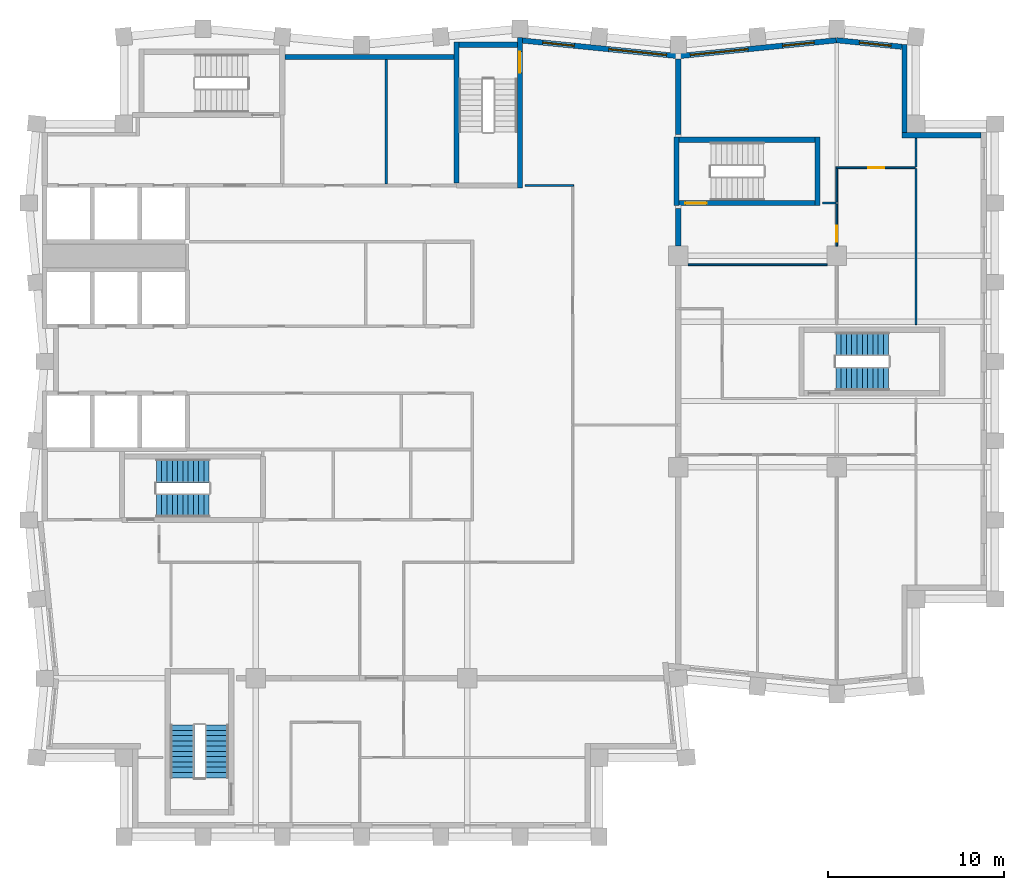
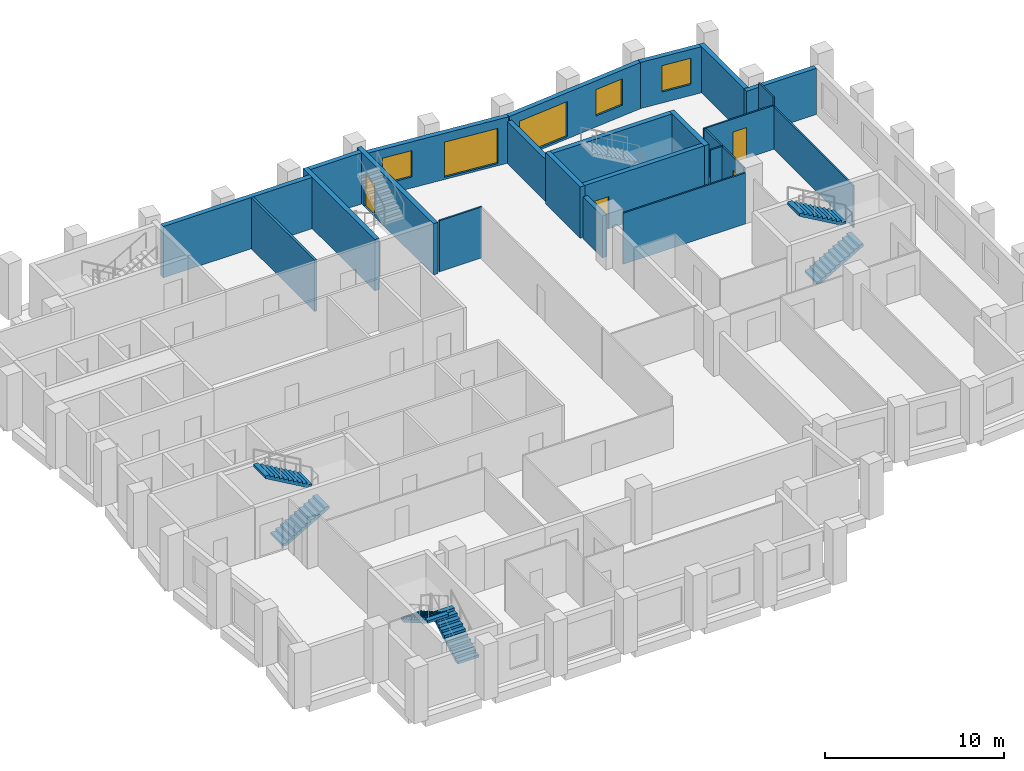
# One storey, part 6 of 8: 24 walls, 6 stair flights, 5 windows, 4 doors, 9 openings, 3 elements without a shape of their own.
"""IFC4 building model written with IfcOpenShell, lengths in metres."""

from ifc_helpers import new_model, si_unit, direction, frame, frame_2d, origin, place, context, subcontext, project, spatial, polyline, rectangle, outline, extrude, material, layer, layer_set, type_object, element, fill, aggregate, save


model = new_model("IFC4")

# Units and contexts
model_context = context("Model", 3, precision=1e-05, world=origin(), true_north=direction((0.0, 1.0)))
body_context = subcontext(model_context, "Body", "Model", "MODEL_VIEW")
ifc_project = project(units=[si_unit("LENGTHUNIT", "METRE"), si_unit("AREAUNIT", "SQUARE_METRE"), si_unit("VOLUMEUNIT", "CUBIC_METRE"), si_unit("PLANEANGLEUNIT", "RADIAN"), si_unit("MASSUNIT", "GRAM", prefix="KILO")], contexts=[model_context])

# Site, building, storey
site_placement = place(None, origin())
site = spatial("IfcSite", under=ifc_project, at=site_placement, CompositionType="ELEMENT")
building_placement = place(site_placement, origin())
building = spatial("IfcBuilding", under=site, at=building_placement, Name="Brondeck Convention Tower", CompositionType="ELEMENT")
storey_placement = place(building_placement, frame((0.0, 0.0, 217.800048828125)))
storey = spatial("IfcBuildingStorey", under=building, at=storey_placement, Name="L53", CompositionType="ELEMENT", Elevation=217.800048828125)

# Walls
ifc_material_1 = material(Name="Concrete compartment wall C30/37", Category="concrete")
ifc_layer_1 = layer(ifc_material_1, 0.300048828125)
ifc_layer_set_1 = layer_set([ifc_layer_1], Name="Compartment wall 300")
wall_type_1 = type_object("IfcWallType", Name="Compartment wall 300", PredefinedType="PARTITIONING", material=ifc_layer_set_1)
wall_1_placement = place(storey_placement, frame((36.0, 51.554931640625, 0.0), z_axis=(0.0, 0.0, 1.0), x_axis=(0.0, 1.0, 0.0)))
element("IfcWall", 1, at=wall_1_placement, inside=storey, type_object=wall_type_1, Name="FLR-L53-W047", PredefinedType="PARTITIONING", context=body_context, shape_type="SweptSolid", body=[
    extrude(rectangle(XDim=2.14501953125, YDim=0.300048828125, at=frame_2d((1.072509765625, 0.0))), origin(), (0.0, 0.0, 1.0), 2.8798828125),
])
wall_2_placement = place(storey_placement, frame((36.0, 57.89990234375, 0.0), z_axis=(0.0, 0.0, 1.0), x_axis=(0.0, 1.0, 0.0)))
element("IfcWall", 2, at=wall_2_placement, inside=storey, type_object=wall_type_1, Name="FLR-L53-W055", PredefinedType="PARTITIONING", context=body_context, shape_type="SweptSolid", body=[
    extrude(rectangle(XDim=4.2763671875, YDim=0.300048828125, at=frame_2d((2.13818359375, 0.0))), origin(), (0.0, 0.0, 1.0), 2.8798828125),
])
ifc_material_2 = material(Name="Concrete C50/60", Category="concrete")
ifc_layer_2 = layer(ifc_material_2, 0.300048828125)
ifc_layer_set_2 = layer_set([ifc_layer_2], Name="Core outer wall 300 Concrete C50/60")
wall_type_2 = type_object("IfcWallType", Name="Core outer wall 300 Concrete C50/60", PredefinedType="SHEAR", material=ifc_layer_set_2)
wall_3_placement = place(storey_placement, frame((13.64990234375, 62.300048828125, 0.0), z_axis=(0.0, 0.0, 1.0), x_axis=(1.0, 0.0, 0.0)))
element("IfcWall", 3, at=wall_3_placement, inside=storey, type_object=wall_type_2, Name="L53 core wall", PredefinedType="SHEAR", context=body_context, shape_type="SweptSolid", body=[
    extrude(rectangle(XDim=9.60009765625, YDim=0.300048828125, at=frame_2d((4.800048828125, 0.0))), origin(), (0.0, 0.0, 1.0), 3.5),
])
ifc_material_3 = material(Name="Fire-rated gypsum board partition")
ifc_layer_3 = layer(ifc_material_3, 0.14990234375)
ifc_layer_set_3 = layer_set([ifc_layer_3], Name="Core partition 150 EI 60")
wall_type_3 = type_object("IfcWallType", Name="Core partition 150 EI 60", PredefinedType="PARTITIONING", material=ifc_layer_set_3)
wall_4_placement = place(storey_placement, frame((19.39990234375, 55.074951171875, 0.0), z_axis=(0.0, 0.0, 1.0), x_axis=(0.0, 1.0, 0.0)))
element("IfcWall", 4, at=wall_4_placement, inside=storey, type_object=wall_type_3, Name="L53 core wall", PredefinedType="PARTITIONING", context=body_context, shape_type="SweptSolid", body=[
    extrude(rectangle(XDim=7.074951171875, YDim=0.14990234375, at=frame_2d((3.53759765625, 0.0))), origin(), (0.0, 0.0, 1.0), 3.5),
])
ifc_material_4 = material(Name="Precast concrete C50/60 bronze finish", Category="concrete")
ifc_layer_4 = layer(ifc_material_4, 0.070068359375, Name="Bronze precast facing")
ifc_material_5 = material(Name="Mineral wool")
ifc_layer_5 = layer(ifc_material_5, 0.159912109375, Name="Insulation")
ifc_material_6 = material(Name="Concrete C35/45", Category="concrete")
ifc_layer_6 = layer(ifc_material_6, 0.070068359375, Name="Backing")
ifc_layer_set_4 = layer_set([ifc_layer_4, ifc_layer_5, ifc_layer_6], Name="External infill wall, precast concrete C50/60 bronze facing")
wall_type_4 = type_object("IfcWallType", Name="External infill wall, precast concrete C50/60 bronze facing", PredefinedType="SOLIDWALL", material=ifc_layer_set_4)
wall_5_placement = place(storey_placement, frame((48.699951171875, 57.85009765625, 0.0), z_axis=(0.0, 0.0, 1.0), x_axis=(1.0, 0.0, 0.0)))
element("IfcWall", 5, at=wall_5_placement, inside=storey, type_object=wall_type_4, Name="ENV-EW-L53-P2-NC-NEA54-01", PredefinedType="SOLIDWALL", context=body_context, shape_type="SweptSolid", body=[
    extrude(rectangle(XDim=4.501953125, YDim=0.300048828125, at=frame_2d((2.2509765625, 0.0))), origin(), (0.0, 0.0, 1.0), 3.14990234375),
])
wall_6_placement = place(storey_placement, frame((48.85009765625, 62.99755859375, 0.0), z_axis=(0.0, 0.0, 1.0), x_axis=(0.0, -1.0, 0.0)))
element("IfcWall", 6, at=wall_6_placement, inside=storey, type_object=wall_type_4, Name="ENV-EW-L53-P2-NC-NEA54-02", PredefinedType="SOLIDWALL", context=body_context, shape_type="SweptSolid", body=[
    extrude(rectangle(XDim=4.99951171875, YDim=0.300048828125, at=frame_2d((2.499755859375, 0.0))), origin(), (0.0, 0.0, 1.0), 3.14990234375),
])

# Wall, opening, window
wall_7_placement = place(storey_placement, frame((44.985107421875, 63.248291015625, 0.0), z_axis=(0.0, 0.0, 1.0), x_axis=(0.995037837869, -0.099497242219, 0.0)))
wall_7 = element("IfcWall", 7, at=wall_7_placement, inside=storey, type_object=wall_type_4, Name="ENV-EW-L53-P2-A-N-10", PredefinedType="SOLIDWALL", context=body_context, shape_type="SweptSolid", body=[
    extrude(rectangle(XDim=3.732177734375, YDim=0.300048828125, at=frame_2d((1.8662109375, 0.0))), origin(), (0.0, 0.0, 1.0), 3.14990234375),
])
opening_1_placement = place(wall_7_placement, frame((1.311279296875, 0.0, 0.75)))
opening_1 = element("IfcOpeningElement", 8, at=opening_1_placement, cuts=wall_7, Name="Opening W10", PredefinedType="OPENING", context=body_context, shape_type="SweptSolid", body=[
    extrude(rectangle(XDim=1.800048828125, YDim=1.800048828125, at=frame_2d((0.89990234375, 0.89990234375))), frame((0.0, 0.159912109375, 0.0), z_axis=(0.0, -1.0, 0.0), x_axis=(1.0, 0.0, 0.0)), (0.0, 0.0, 1.0), 0.320068359375),
])
ifc_material_7 = material(Name="Bronze tinted double glazing", Category="glass")
window_type_1 = type_object("IfcWindowType", Name="Punched window, bronze tinted", PartitioningType="SINGLE_PANEL", PredefinedType="WINDOW", material=ifc_material_7)
window_1_placement = place(opening_1_placement, origin())
window_1 = element("IfcWindow", 9, at=window_1_placement, inside=storey, type_object=window_type_1, Name="ENV-WN-L53-P2-A-N-10", OverallHeight=1.800048828125, OverallWidth=1.800048828125, PartitioningType="SINGLE_PANEL", PredefinedType="WINDOW", context=body_context, shape_type="SweptSolid", body=[
    extrude(rectangle(XDim=1.800048828125, YDim=1.800048828125, at=frame_2d((0.89990234375, 0.89990234375))), frame((0.0, 0.030029296875, 0.0), z_axis=(0.0, -1.0, 0.0), x_axis=(1.0, 0.0, 0.0)), (0.0, 0.0, 1.0), 0.06005859375),
])
fill(opening_1, window_1)

# Wall, openings, windows
wall_8_placement = place(storey_placement, frame((35.985107421875, 62.34521484375, 0.0), z_axis=(0.0, 0.0, 1.0), x_axis=(0.995035316196, 0.099522457379, 0.0)))
wall_8 = element("IfcWall", 10, at=wall_8_placement, inside=storey, type_object=wall_type_4, Name="ENV-EW-L53-P2-A-N-09", PredefinedType="SOLIDWALL", context=body_context, shape_type="SweptSolid", body=[
    extrude(rectangle(XDim=9.030029296875, YDim=0.300048828125, at=frame_2d((4.51513671875, 0.0))), origin(), (0.0, 0.0, 1.0), 3.14990234375),
])
opening_2_placement = place(wall_8_placement, frame((0.691162109375, 0.0, 0.14990234375)))
opening_2 = element("IfcOpeningElement", 11, at=opening_2_placement, cuts=wall_8, Name="Opening W9", PredefinedType="OPENING", context=body_context, shape_type="SweptSolid", body=[
    extrude(rectangle(XDim=3.300048828125, YDim=2.39990234375, at=frame_2d((1.64990234375, 1.199951171875))), frame((0.0, 0.159912109375, 0.0), z_axis=(0.0, -1.0, 0.0), x_axis=(1.0, 0.0, 0.0)), (0.0, 0.0, 1.0), 0.320068359375),
])
opening_3_placement = place(wall_8_placement, frame((5.963623046875, 0.0, 0.75)))
opening_3 = element("IfcOpeningElement", 12, at=opening_3_placement, cuts=wall_8, Name="Opening W10", PredefinedType="OPENING", context=body_context, shape_type="SweptSolid", body=[
    extrude(rectangle(XDim=1.800048828125, YDim=1.800048828125, at=frame_2d((0.89990234375, 0.89990234375))), frame((0.0, 0.159912109375, 0.0), z_axis=(0.0, -1.0, 0.0), x_axis=(1.0, 0.0, 0.0)), (0.0, 0.0, 1.0), 0.320068359375),
])
window_type_2 = type_object("IfcWindowType", Name="Glazed flute window, bronze tinted", PartitioningType="SINGLE_PANEL", PredefinedType="WINDOW", material=ifc_material_7)
window_2_placement = place(opening_2_placement, origin())
window_2 = element("IfcWindow", 13, at=window_2_placement, inside=storey, type_object=window_type_2, Name="ENV-WN-L53-P2-A-N-08", OverallHeight=2.39990234375, OverallWidth=3.300048828125, PartitioningType="SINGLE_PANEL", PredefinedType="WINDOW", context=body_context, shape_type="SweptSolid", body=[
    extrude(rectangle(XDim=3.300048828125, YDim=2.39990234375, at=frame_2d((1.64990234375, 1.199951171875))), frame((0.0, 0.030029296875, 0.0), z_axis=(0.0, -1.0, 0.0), x_axis=(1.0, 0.0, 0.0)), (0.0, 0.0, 1.0), 0.06005859375),
])
fill(opening_2, window_2)
window_3_placement = place(opening_3_placement, origin())
window_3 = element("IfcWindow", 14, at=window_3_placement, inside=storey, type_object=window_type_1, Name="ENV-WN-L53-P2-A-N-09", OverallHeight=1.800048828125, OverallWidth=1.800048828125, PartitioningType="SINGLE_PANEL", PredefinedType="WINDOW", context=body_context, shape_type="SweptSolid", body=[
    extrude(rectangle(XDim=1.800048828125, YDim=1.800048828125, at=frame_2d((0.89990234375, 0.89990234375))), frame((0.0, 0.030029296875, 0.0), z_axis=(0.0, -1.0, 0.0), x_axis=(1.0, 0.0, 0.0)), (0.0, 0.0, 1.0), 0.06005859375),
])
fill(opening_3, window_3)

wall_9_placement = place(storey_placement, frame((27.084716796875, 63.23828125, 0.0), z_axis=(0.0, 0.0, 1.0), x_axis=(0.995035836657, -0.099517253618, 0.0)))
wall_9 = element("IfcWall", 15, at=wall_9_placement, inside=storey, type_object=wall_type_4, Name="ENV-EW-L53-P2-A-N-07", PredefinedType="SOLIDWALL", context=body_context, shape_type="SweptSolid", body=[
    extrude(rectangle(XDim=8.929931640625, YDim=0.300048828125, at=frame_2d((4.46484375, 0.0))), origin(), (0.0, 0.0, 1.0), 3.14990234375),
])
opening_4_placement = place(wall_9_placement, frame((1.211181640625, 0.0, 0.75)))
opening_4 = element("IfcOpeningElement", 16, at=opening_4_placement, cuts=wall_9, Name="Opening W10", PredefinedType="OPENING", context=body_context, shape_type="SweptSolid", body=[
    extrude(rectangle(XDim=1.800048828125, YDim=1.800048828125, at=frame_2d((0.89990234375, 0.89990234375))), frame((0.0, 0.159912109375, 0.0), z_axis=(0.0, -1.0, 0.0), x_axis=(1.0, 0.0, 0.0)), (0.0, 0.0, 1.0), 0.320068359375),
])
opening_5_placement = place(wall_9_placement, frame((4.983642578125, 0.0, 0.14990234375)))
opening_5 = element("IfcOpeningElement", 17, at=opening_5_placement, cuts=wall_9, Name="Opening W9", PredefinedType="OPENING", context=body_context, shape_type="SweptSolid", body=[
    extrude(rectangle(XDim=3.300048828125, YDim=2.39990234375, at=frame_2d((1.64990234375, 1.199951171875))), frame((0.0, 0.159912109375, 0.0), z_axis=(0.0, -1.0, 0.0), x_axis=(1.0, 0.0, 0.0)), (0.0, 0.0, 1.0), 0.320068359375),
])
window_4_placement = place(opening_5_placement, origin())
window_4 = element("IfcWindow", 18, at=window_4_placement, inside=storey, type_object=window_type_2, Name="ENV-WN-L53-P2-A-N-07", OverallHeight=2.39990234375, OverallWidth=3.300048828125, PartitioningType="SINGLE_PANEL", PredefinedType="WINDOW", context=body_context, shape_type="SweptSolid", body=[
    extrude(rectangle(XDim=3.300048828125, YDim=2.39990234375, at=frame_2d((1.64990234375, 1.199951171875))), frame((0.0, 0.030029296875, 0.0), z_axis=(0.0, -1.0, 0.0), x_axis=(1.0, 0.0, 0.0)), (0.0, 0.0, 1.0), 0.06005859375),
])
fill(opening_5, window_4)
window_5_placement = place(opening_4_placement, origin())
window_5 = element("IfcWindow", 19, at=window_5_placement, inside=storey, type_object=window_type_1, Name="ENV-WN-L53-P2-A-N-06", OverallHeight=1.800048828125, OverallWidth=1.800048828125, PartitioningType="SINGLE_PANEL", PredefinedType="WINDOW", context=body_context, shape_type="SweptSolid", body=[
    extrude(rectangle(XDim=1.800048828125, YDim=1.800048828125, at=frame_2d((0.89990234375, 0.89990234375))), frame((0.0, 0.030029296875, 0.0), z_axis=(0.0, -1.0, 0.0), x_axis=(1.0, 0.0, 0.0)), (0.0, 0.0, 1.0), 0.06005859375),
])
fill(opening_4, window_5)

# Walls
ifc_material_8 = material(Name="Gypsum board partition on steel studs", Category="steel")
ifc_layer_7 = layer(ifc_material_8, 0.10009765625)
ifc_layer_set_5 = layer_set([ifc_layer_7], Name="Room partition 100")
wall_type_5 = type_object("IfcWallType", Name="Room partition 100", PredefinedType="PARTITIONING", material=ifc_layer_set_5)
wall_10_placement = place(storey_placement, frame((49.5, 47.10009765625, 0.0), z_axis=(0.0, 0.0, 1.0), x_axis=(0.0, 1.0, 0.0)))
element("IfcWall", 20, at=wall_10_placement, inside=storey, type_object=wall_type_5, Name="FLR-L53-W041", PredefinedType="PARTITIONING", context=body_context, shape_type="SweptSolid", body=[
    extrude(rectangle(XDim=8.849853515625, YDim=0.10009765625, at=frame_2d((4.4248046875, 0.0))), origin(), (0.0, 0.0, 1.0), 2.8798828125),
])
wall_11_placement = place(storey_placement, frame((44.445068359375, 50.5, 0.0), z_axis=(0.0, 0.0, 1.0), x_axis=(-1.0, 0.0, 0.0)))
element("IfcWall", 21, at=wall_11_placement, inside=storey, type_object=wall_type_5, Name="FLR-L53-W046", PredefinedType="PARTITIONING", context=body_context, shape_type="SweptSolid", body=[
    extrude(rectangle(XDim=7.89013671875, YDim=0.10009765625, at=frame_2d((3.945068359375, 0.0))), origin(), (0.0, 0.0, 1.0), 3.47998046875),
])

# Wall, opening, door
wall_12_placement = place(storey_placement, frame((45.0, 53.949951171875, 0.0), z_axis=(0.0, 0.0, 1.0), x_axis=(0.0, -1.0, 0.0)))
wall_12 = element("IfcWall", 22, at=wall_12_placement, inside=storey, type_object=wall_type_5, Name="FLR-L53-W048", PredefinedType="PARTITIONING", context=body_context, shape_type="SweptSolid", body=[
    extrude(rectangle(XDim=2.39501953125, YDim=0.10009765625, at=frame_2d((1.197509765625, 0.0))), origin(), (0.0, 0.0, 1.0), 2.97998046875),
])
opening_6_placement = place(wall_12_placement, frame((1.25, 0.0, 0.0)))
opening_6 = element("IfcOpeningElement", 23, at=opening_6_placement, cuts=wall_12, Name="Opening OF-L-007", PredefinedType="OPENING", context=body_context, shape_type="SweptSolid", body=[
    extrude(rectangle(XDim=0.89990234375, YDim=2.10009765625, at=frame_2d((0.449951171875, 1.050048828125))), frame((0.0, 0.06005859375, 0.0), z_axis=(0.0, -1.0, 0.0), x_axis=(1.0, 0.0, 0.0)), (0.0, 0.0, 1.0), 0.1201171875),
])
ifc_material_9 = material(Name="Solid timber door leaf", Category="wood")
door_type_1 = type_object("IfcDoorType", Name="Single door 900", OperationType="NOTDEFINED", PredefinedType="DOOR", material=ifc_material_9)
door_1_placement = place(opening_6_placement, origin())
door_1 = element("IfcDoor", 24, at=door_1_placement, inside=storey, type_object=door_type_1, Name="Door OF-L-007", OperationType="SINGLE_SWING_LEFT", OverallHeight=2.10009765625, OverallWidth=0.89990234375, PredefinedType="DOOR", context=body_context, shape_type="SweptSolid", body=[
    extrude(rectangle(XDim=0.89990234375, YDim=2.10009765625, at=frame_2d((0.449951171875, 1.050048828125))), frame((0.0, 0.02490234375, 0.0), z_axis=(0.0, -1.0, 0.0), x_axis=(1.0, 0.0, 0.0)), (0.0, 0.0, 1.0), 0.050048828125),
])
fill(opening_6, door_1)

# Walls
wall_13_placement = place(storey_placement, frame((44.199951171875, 54.0, 0.0), z_axis=(0.0, 0.0, 1.0), x_axis=(1.0, 0.0, 0.0)))
element("IfcWall", 25, at=wall_13_placement, inside=storey, type_object=wall_type_5, Name="FLR-L53-W049", PredefinedType="PARTITIONING", context=body_context, shape_type="SweptSolid", body=[
    extrude(rectangle(XDim=0.75, YDim=0.10009765625, at=frame_2d((0.375, 0.0))), origin(), (0.0, 0.0, 1.0), 2.97998046875),
])
wall_14_placement = place(storey_placement, frame((45.0, 54.050048828125, 0.0), z_axis=(0.0, 0.0, 1.0), x_axis=(0.0, 1.0, 0.0)))
element("IfcWall", 26, at=wall_14_placement, inside=storey, type_object=wall_type_5, Name="FLR-L53-W050", PredefinedType="PARTITIONING", context=body_context, shape_type="SweptSolid", body=[
    extrude(rectangle(XDim=1.89990234375, YDim=0.10009765625, at=frame_2d((0.949951171875, 0.0))), origin(), (0.0, 0.0, 1.0), 2.97998046875),
])
wall_15_placement = place(storey_placement, frame((27.300048828125, 55.0, 0.0), z_axis=(0.0, 0.0, 1.0), x_axis=(1.0, 0.0, 0.0)))
element("IfcWall", 27, at=wall_15_placement, inside=storey, type_object=wall_type_5, Name="FLR-L53-W052", PredefinedType="PARTITIONING", context=body_context, shape_type="SweptSolid", body=[
    extrude(rectangle(XDim=2.75, YDim=0.10009765625, at=frame_2d((1.375, 0.0))), origin(), (0.0, 0.0, 1.0), 3.47998046875),
])

# Wall, opening, door
wall_16_placement = place(storey_placement, frame((44.949951171875, 56.0, 0.0), z_axis=(0.0, 0.0, 1.0), x_axis=(1.0, 0.0, 0.0)))
wall_16 = element("IfcWall", 28, at=wall_16_placement, inside=storey, type_object=wall_type_5, Name="FLR-L53-W053", PredefinedType="PARTITIONING", context=body_context, shape_type="SweptSolid", body=[
    extrude(rectangle(XDim=4.5, YDim=0.10009765625, at=frame_2d((2.25, 0.0))), origin(), (0.0, 0.0, 1.0), 2.97998046875),
])
opening_7_placement = place(wall_16_placement, frame((1.85009765625, 0.0, 0.0)))
opening_7 = element("IfcOpeningElement", 29, at=opening_7_placement, cuts=wall_16, Name="Opening OF-L-008", PredefinedType="OPENING", context=body_context, shape_type="SweptSolid", body=[
    extrude(rectangle(XDim=0.89990234375, YDim=2.10009765625, at=frame_2d((0.449951171875, 1.050048828125))), frame((0.0, 0.06005859375, 0.0), z_axis=(0.0, -1.0, 0.0), x_axis=(1.0, 0.0, 0.0)), (0.0, 0.0, 1.0), 0.1201171875),
])
door_2_placement = place(opening_7_placement, origin())
door_2 = element("IfcDoor", 30, at=door_2_placement, inside=storey, type_object=door_type_1, Name="Door OF-L-008", OperationType="SINGLE_SWING_LEFT", OverallHeight=2.10009765625, OverallWidth=0.89990234375, PredefinedType="DOOR", context=body_context, shape_type="SweptSolid", body=[
    extrude(rectangle(XDim=0.89990234375, YDim=2.10009765625, at=frame_2d((0.449951171875, 1.050048828125))), frame((0.0, 0.02490234375, 0.0), z_axis=(0.0, -1.0, 0.0), x_axis=(1.0, 0.0, 0.0)), (0.0, 0.0, 1.0), 0.050048828125),
])
fill(opening_7, door_2)

# Wall
wall_17_placement = place(storey_placement, frame((49.5, 56.050048828125, 0.0), z_axis=(0.0, 0.0, 1.0), x_axis=(0.0, 1.0, 0.0)))
element("IfcWall", 31, at=wall_17_placement, inside=storey, type_object=wall_type_5, Name="FLR-L53-W054", PredefinedType="PARTITIONING", context=body_context, shape_type="SweptSolid", body=[
    extrude(rectangle(XDim=1.6298828125, YDim=0.10009765625, at=frame_2d((0.81494140625, 0.0))), origin(), (0.0, 0.0, 1.0), 3.47998046875),
])

# Wall, opening, door
ifc_layer_8 = layer(ifc_material_2, 0.300048828125)
ifc_layer_set_6 = layer_set([ifc_layer_8], Name="Stair enclosure wall 300 Concrete C50/60")
wall_type_6 = type_object("IfcWallType", Name="Stair enclosure wall 300 Concrete C50/60", PredefinedType="SHEAR", material=ifc_layer_set_6)
wall_18_placement = place(storey_placement, frame((36.050048828125, 54.0, 0.0), z_axis=(0.0, 0.0, 1.0), x_axis=(1.0, 0.0, 0.0)))
wall_18 = element("IfcWall", 32, at=wall_18_placement, inside=storey, type_object=wall_type_6, Name="L53 core wall", PredefinedType="SHEAR", context=body_context, shape_type="SweptSolid", body=[
    extrude(rectangle(XDim=7.699951171875, YDim=0.300048828125, at=frame_2d((3.85009765625, 0.0))), origin(), (0.0, 0.0, 1.0), 3.5),
])
opening_8_placement = place(wall_18_placement, frame((0.35009765625, 0.0, 0.0)))
opening_8 = element("IfcOpeningElement", 33, at=opening_8_placement, cuts=wall_18, Name="Opening C29-16", PredefinedType="OPENING", context=body_context, shape_type="SweptSolid", body=[
    extrude(rectangle(XDim=1.199951171875, YDim=2.199951171875, at=frame_2d((0.60009765625, 1.10009765625))), frame((0.0, 0.159912109375, 0.0), z_axis=(0.0, -1.0, 0.0), x_axis=(1.0, 0.0, 0.0)), (0.0, 0.0, 1.0), 0.320068359375),
])
ifc_material_10 = material(Name="Steel fire door", Category="steel")
door_type_2 = type_object("IfcDoorType", Name="Stair door 1200x2200 EI 90", OperationType="NOTDEFINED", PredefinedType="DOOR", material=ifc_material_10)
door_3_placement = place(opening_8_placement, origin())
door_3 = element("IfcDoor", 34, at=door_3_placement, inside=storey, type_object=door_type_2, Name="L53 Stair door ST-AE", OperationType="SINGLE_SWING_LEFT", OverallHeight=2.199951171875, OverallWidth=1.199951171875, PredefinedType="DOOR", context=body_context, shape_type="SweptSolid", body=[
    extrude(rectangle(XDim=1.199951171875, YDim=2.199951171875, at=frame_2d((0.60009765625, 1.10009765625))), frame((0.0, 0.02490234375, 0.0), z_axis=(0.0, -1.0, 0.0), x_axis=(1.0, 0.0, 0.0)), (0.0, 0.0, 1.0), 0.050048828125),
])
fill(opening_8, door_3)

# Walls
wall_19_placement = place(storey_placement, frame((36.050048828125, 57.60009765625, 0.0), z_axis=(0.0, 0.0, 1.0), x_axis=(1.0, 0.0, 0.0)))
element("IfcWall", 35, at=wall_19_placement, inside=storey, type_object=wall_type_6, Name="L53 core wall", PredefinedType="SHEAR", context=body_context, shape_type="SweptSolid", body=[
    extrude(rectangle(XDim=7.699951171875, YDim=0.300048828125, at=frame_2d((3.85009765625, 0.0))), origin(), (0.0, 0.0, 1.0), 3.5),
])
wall_20_placement = place(storey_placement, frame((23.550048828125, 63.0, 0.0), z_axis=(0.0, 0.0, 1.0), x_axis=(1.0, 0.0, 0.0)))
element("IfcWall", 36, at=wall_20_placement, inside=storey, type_object=wall_type_6, Name="L53 core wall", PredefinedType="SHEAR", context=body_context, shape_type="SweptSolid", body=[
    extrude(rectangle(XDim=3.300048828125, YDim=0.300048828125, at=frame_2d((1.64990234375, 0.0))), origin(), (0.0, 0.0, 1.0), 3.5),
])
wall_21_placement = place(storey_placement, frame((23.39990234375, 55.14990234375, 0.0), z_axis=(0.0, 0.0, 1.0), x_axis=(0.0, 1.0, 0.0)))
element("IfcWall", 37, at=wall_21_placement, inside=storey, type_object=wall_type_6, Name="L53 core wall", PredefinedType="SHEAR", context=body_context, shape_type="SweptSolid", body=[
    extrude(rectangle(XDim=8.0, YDim=0.300048828125, at=frame_2d((4.0, 0.0))), origin(), (0.0, 0.0, 1.0), 3.5),
])

# Wall, opening, door
wall_22_placement = place(storey_placement, frame((27.0, 54.85009765625, 0.0), z_axis=(0.0, 0.0, 1.0), x_axis=(0.0, 1.0, 0.0)))
wall_22 = element("IfcWall", 38, at=wall_22_placement, inside=storey, type_object=wall_type_6, Name="L53 core wall", PredefinedType="SHEAR", context=body_context, shape_type="SweptSolid", body=[
    extrude(rectangle(XDim=8.5498046875, YDim=0.300048828125, at=frame_2d((4.27490234375, 0.0))), origin(), (0.0, 0.0, 1.0), 3.5),
])
opening_9_placement = place(wall_22_placement, frame((6.550048828125, 0.0, 0.0)))
opening_9 = element("IfcOpeningElement", 39, at=opening_9_placement, cuts=wall_22, Name="Opening C29-14", PredefinedType="OPENING", context=body_context, shape_type="SweptSolid", body=[
    extrude(rectangle(XDim=1.199951171875, YDim=2.199951171875, at=frame_2d((0.60009765625, 1.10009765625))), frame((0.0, 0.159912109375, 0.0), z_axis=(0.0, -1.0, 0.0), x_axis=(1.0, 0.0, 0.0)), (0.0, 0.0, 1.0), 0.320068359375),
])
door_4_placement = place(opening_9_placement, origin())
door_4 = element("IfcDoor", 40, at=door_4_placement, inside=storey, type_object=door_type_2, Name="L53 Stair door ST-2", OperationType="SINGLE_SWING_LEFT", OverallHeight=2.199951171875, OverallWidth=1.199951171875, PredefinedType="DOOR", context=body_context, shape_type="SweptSolid", body=[
    extrude(rectangle(XDim=1.199951171875, YDim=2.199951171875, at=frame_2d((0.60009765625, 1.10009765625))), frame((0.0, 0.02490234375, 0.0), z_axis=(0.0, -1.0, 0.0), x_axis=(1.0, 0.0, 0.0)), (0.0, 0.0, 1.0), 0.050048828125),
])
fill(opening_9, door_4)

# Walls
for number, where, z_axis, x_axis, name in (
    (41, (35.89990234375, 53.85009765625, 0.0), (0.0, 0.0, 1.0), (0.0, 1.0, 0.0), "L53 core wall"),
    (42, (43.89990234375, 53.85009765625, 0.0), (0.0, 0.0, 1.0), (0.0, 1.0, 0.0), "L53 core wall"),
):
    element("IfcWall", number, at=place(storey_placement, frame(where, z_axis=z_axis, x_axis=x_axis)), inside=storey, type_object=wall_type_6, Name=name, PredefinedType="SHEAR", context=body_context, shape_type="SweptSolid", body=[
        extrude(rectangle(XDim=3.89990234375, YDim=0.300048828125, at=frame_2d((1.949951171875, 0.0))), origin(), (0.0, 0.0, 1.0), 3.5),
    ])

# Stair, stair flights
ifc_material_11 = material(Name="Precast concrete C50/60", Category="concrete")
stair_type = type_object("IfcStairType", Name="Core stair 22 risers 172.73 mm riser 300 mm going 1350 wide", PredefinedType="HALF_TURN_STAIR", material=ifc_material_11)
stair_1_placement = place(storey_placement, origin())
stair_1 = element("IfcStair", 43, at=stair_1_placement, inside=storey, type_object=stair_type, Name="ST-1 L53 stair", PredefinedType="HALF_TURN_STAIR")
stair_flight_type = type_object("IfcStairFlightType", Name="Core stair flight 22 risers 172.73 mm riser 300 mm going 1350 wide", PredefinedType="STRAIGHT", material=ifc_material_11)
stair_flight_1_placement = place(storey_placement, frame((6.35009765625, 36.824951171875, 0.0), z_axis=(0.0, 0.0, 1.0), x_axis=(1.0, 0.0, 0.0)))
stair_flight_1 = element("IfcStairFlight", 44, at=stair_flight_1_placement, type_object=stair_flight_type, Name="ST-1 flight 1", NumberOfRisers=11, NumberOfTreads=10, PredefinedType="STRAIGHT", RiserHeight=0.172727273, TreadLength=0.3, context=body_context, shape_type="SweptSolid", body=[
    extrude(outline(polyline([(0.0, 0.0), (0.0, 0.172607421875), (0.300048828125, 0.172607421875), (0.300048828125, 0.345458984375), (0.60009765625, 0.345458984375), (0.60009765625, 0.51806640625), (0.89990234375, 0.51806640625), (0.89990234375, 0.69091796875), (1.199951171875, 0.69091796875), (1.199951171875, 0.863525390625), (1.5, 0.863525390625), (1.5, 1.036376953125), (1.800048828125, 1.036376953125), (1.800048828125, 1.208984375), (2.10009765625, 1.208984375), (2.10009765625, 1.3818359375), (2.39990234375, 1.3818359375), (2.39990234375, 1.554443359375), (2.699951171875, 1.554443359375), (2.699951171875, 1.727294921875), (3.0, 1.727294921875), (3.0, 1.89990234375), (3.0, 1.55419921875), (0.300537109375, 0.0), (0.0, 0.0)])), frame((0.0, 0.675048828125, 0.0), z_axis=(0.0, -1.0, 0.0), x_axis=(1.0, 0.0, 0.0)), (0.0, 0.0, 1.0), 1.35009765625),
])
stair_flight_2_placement = place(storey_placement, frame((9.35009765625, 38.77490234375, 1.89990234375), z_axis=(0.0, 0.0, 1.0), x_axis=(-1.0, 0.0, 0.0)))
stair_flight_2 = element("IfcStairFlight", 45, at=stair_flight_2_placement, type_object=stair_flight_type, Name="ST-1 flight 2", NumberOfRisers=11, NumberOfTreads=10, PredefinedType="STRAIGHT", RiserHeight=0.172727273, TreadLength=0.3, context=body_context, shape_type="SweptSolid", body=[
    extrude(outline(polyline([(0.0, 0.0), (0.0, 0.172607421875), (0.300048828125, 0.172607421875), (0.300048828125, 0.345458984375), (0.60009765625, 0.345458984375), (0.60009765625, 0.51806640625), (0.89990234375, 0.51806640625), (0.89990234375, 0.69091796875), (1.199951171875, 0.69091796875), (1.199951171875, 0.863525390625), (1.5, 0.863525390625), (1.5, 1.036376953125), (1.800048828125, 1.036376953125), (1.800048828125, 1.208984375), (2.10009765625, 1.208984375), (2.10009765625, 1.3818359375), (2.39990234375, 1.3818359375), (2.39990234375, 1.554443359375), (2.699951171875, 1.554443359375), (2.699951171875, 1.727294921875), (3.0, 1.727294921875), (3.0, 1.89990234375), (3.0, 1.55419921875), (0.300537109375, 0.0), (0.0, 0.0)])), frame((0.0, 0.675048828125, 0.0), z_axis=(0.0, -1.0, 0.0), x_axis=(1.0, 0.0, 0.0)), (0.0, 0.0, 1.0), 1.35009765625),
])
aggregate(stair_1, [stair_flight_1, stair_flight_2])

stair_2_placement = place(storey_placement, origin())
stair_2 = element("IfcStair", 46, at=stair_2_placement, inside=storey, type_object=stair_type, Name="ST-BE L53 stair", PredefinedType="HALF_TURN_STAIR")
stair_flight_3_placement = place(storey_placement, frame((9.77490234375, 21.35009765625, 0.0), z_axis=(0.0, 0.0, 1.0), x_axis=(0.0, 1.0, 0.0)))
stair_flight_3 = element("IfcStairFlight", 47, at=stair_flight_3_placement, type_object=stair_flight_type, Name="ST-BE flight 1", NumberOfRisers=11, NumberOfTreads=10, PredefinedType="STRAIGHT", RiserHeight=0.172727273, TreadLength=0.3, context=body_context, shape_type="SweptSolid", body=[
    extrude(outline(polyline([(0.0, 0.0), (0.0, 0.172607421875), (0.300048828125, 0.172607421875), (0.300048828125, 0.345458984375), (0.60009765625, 0.345458984375), (0.60009765625, 0.51806640625), (0.89990234375, 0.51806640625), (0.89990234375, 0.69091796875), (1.199951171875, 0.69091796875), (1.199951171875, 0.863525390625), (1.5, 0.863525390625), (1.5, 1.036376953125), (1.800048828125, 1.036376953125), (1.800048828125, 1.208984375), (2.10009765625, 1.208984375), (2.10009765625, 1.3818359375), (2.39990234375, 1.3818359375), (2.39990234375, 1.554443359375), (2.699951171875, 1.554443359375), (2.699951171875, 1.727294921875), (3.0, 1.727294921875), (3.0, 1.89990234375), (3.0, 1.55419921875), (0.300537109375, 0.0), (0.0, 0.0)])), frame((0.0, 0.675048828125, 0.0), z_axis=(0.0, -1.0, 0.0), x_axis=(1.0, 0.0, 0.0)), (0.0, 0.0, 1.0), 1.35009765625),
])
stair_flight_4_placement = place(storey_placement, frame((7.824951171875, 24.35009765625, 1.89990234375), z_axis=(0.0, 0.0, 1.0), x_axis=(0.0, -1.0, 0.0)))
stair_flight_4 = element("IfcStairFlight", 48, at=stair_flight_4_placement, type_object=stair_flight_type, Name="ST-BE flight 2", NumberOfRisers=11, NumberOfTreads=10, PredefinedType="STRAIGHT", RiserHeight=0.172727273, TreadLength=0.3, context=body_context, shape_type="SweptSolid", body=[
    extrude(outline(polyline([(0.0, 0.0), (0.0, 0.172607421875), (0.300048828125, 0.172607421875), (0.300048828125, 0.345458984375), (0.60009765625, 0.345458984375), (0.60009765625, 0.51806640625), (0.89990234375, 0.51806640625), (0.89990234375, 0.69091796875), (1.199951171875, 0.69091796875), (1.199951171875, 0.863525390625), (1.5, 0.863525390625), (1.5, 1.036376953125), (1.800048828125, 1.036376953125), (1.800048828125, 1.208984375), (2.10009765625, 1.208984375), (2.10009765625, 1.3818359375), (2.39990234375, 1.3818359375), (2.39990234375, 1.554443359375), (2.699951171875, 1.554443359375), (2.699951171875, 1.727294921875), (3.0, 1.727294921875), (3.0, 1.89990234375), (3.0, 1.55419921875), (0.300537109375, 0.0), (0.0, 0.0)])), frame((0.0, 0.675048828125, 0.0), z_axis=(0.0, -1.0, 0.0), x_axis=(1.0, 0.0, 0.0)), (0.0, 0.0, 1.0), 1.35009765625),
])
aggregate(stair_2, [stair_flight_3, stair_flight_4])

stair_3_placement = place(storey_placement, origin())
stair_3 = element("IfcStair", 49, at=stair_3_placement, inside=storey, type_object=stair_type, Name="ST-AF L53 stair", PredefinedType="HALF_TURN_STAIR")
stair_flight_5_placement = place(storey_placement, frame((44.949951171875, 44.02490234375, 0.0), z_axis=(0.0, 0.0, 1.0), x_axis=(1.0, 0.0, 0.0)))
stair_flight_5 = element("IfcStairFlight", 50, at=stair_flight_5_placement, type_object=stair_flight_type, Name="ST-AF flight 1", NumberOfRisers=11, NumberOfTreads=10, PredefinedType="STRAIGHT", RiserHeight=0.172727273, TreadLength=0.3, context=body_context, shape_type="SweptSolid", body=[
    extrude(outline(polyline([(0.0, 0.0), (0.0, 0.172607421875), (0.300048828125, 0.172607421875), (0.300048828125, 0.345458984375), (0.60009765625, 0.345458984375), (0.60009765625, 0.51806640625), (0.89990234375, 0.51806640625), (0.89990234375, 0.69091796875), (1.199951171875, 0.69091796875), (1.199951171875, 0.863525390625), (1.5, 0.863525390625), (1.5, 1.036376953125), (1.800048828125, 1.036376953125), (1.800048828125, 1.208984375), (2.10009765625, 1.208984375), (2.10009765625, 1.3818359375), (2.39990234375, 1.3818359375), (2.39990234375, 1.554443359375), (2.699951171875, 1.554443359375), (2.699951171875, 1.727294921875), (3.0, 1.727294921875), (3.0, 1.89990234375), (3.0, 1.55419921875), (0.300537109375, 0.0), (0.0, 0.0)])), frame((0.0, 0.675048828125, 0.0), z_axis=(0.0, -1.0, 0.0), x_axis=(1.0, 0.0, 0.0)), (0.0, 0.0, 1.0), 1.35009765625),
])
stair_flight_6_placement = place(storey_placement, frame((47.949951171875, 45.97509765625, 1.89990234375), z_axis=(0.0, 0.0, 1.0), x_axis=(-1.0, 0.0, 0.0)))
stair_flight_6 = element("IfcStairFlight", 51, at=stair_flight_6_placement, type_object=stair_flight_type, Name="ST-AF flight 2", NumberOfRisers=11, NumberOfTreads=10, PredefinedType="STRAIGHT", RiserHeight=0.172727273, TreadLength=0.3, context=body_context, shape_type="SweptSolid", body=[
    extrude(outline(polyline([(0.0, 0.0), (0.0, 0.172607421875), (0.300048828125, 0.172607421875), (0.300048828125, 0.345458984375), (0.60009765625, 0.345458984375), (0.60009765625, 0.51806640625), (0.89990234375, 0.51806640625), (0.89990234375, 0.69091796875), (1.199951171875, 0.69091796875), (1.199951171875, 0.863525390625), (1.5, 0.863525390625), (1.5, 1.036376953125), (1.800048828125, 1.036376953125), (1.800048828125, 1.208984375), (2.10009765625, 1.208984375), (2.10009765625, 1.3818359375), (2.39990234375, 1.3818359375), (2.39990234375, 1.554443359375), (2.699951171875, 1.554443359375), (2.699951171875, 1.727294921875), (3.0, 1.727294921875), (3.0, 1.89990234375), (3.0, 1.55419921875), (0.300537109375, 0.0), (0.0, 0.0)])), frame((0.0, 0.675048828125, 0.0), z_axis=(0.0, -1.0, 0.0), x_axis=(1.0, 0.0, 0.0)), (0.0, 0.0, 1.0), 1.35009765625),
])
aggregate(stair_3, [stair_flight_5, stair_flight_6])

save(model, "model.ifc")
